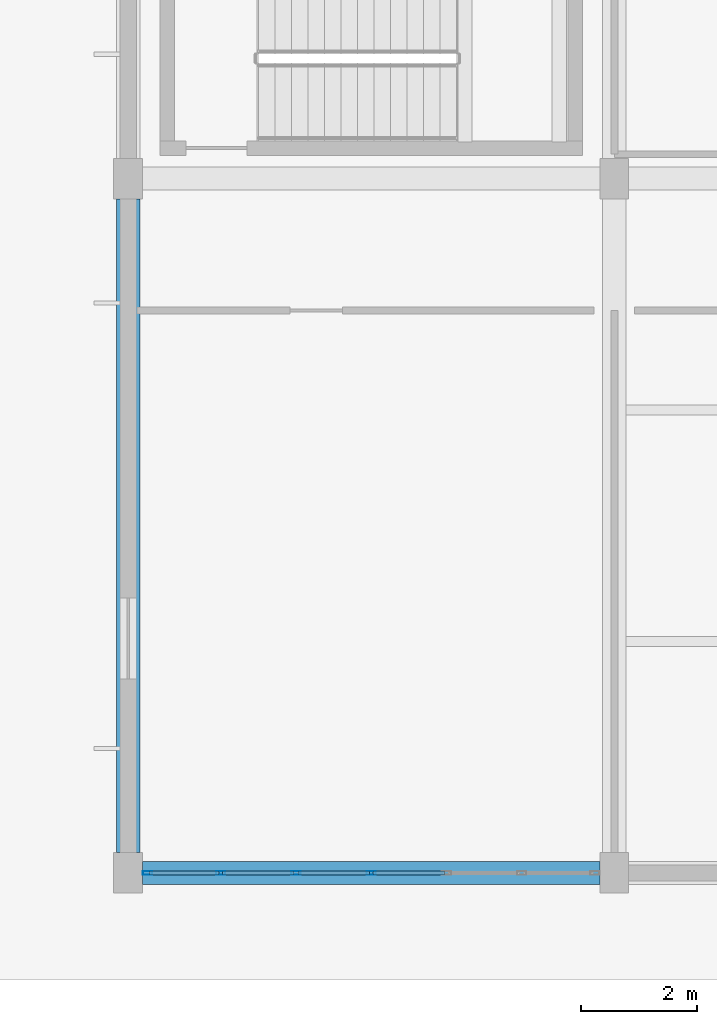
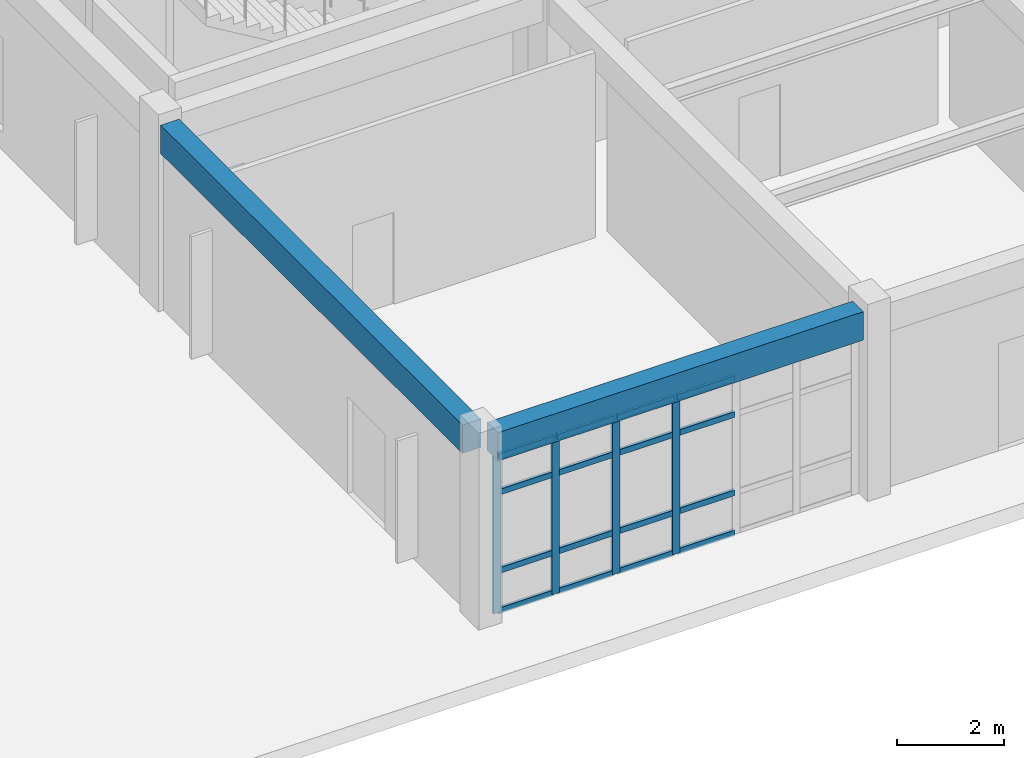
# One storey, part 20 of 154: 20 members, 2 beams, 1 element without a shape of its own.
"""IFC4 building model written with IfcOpenShell, lengths in metres."""

from ifc_helpers import new_model, si_unit, direction, frame, origin, origin_2d, place, context, subcontext, project, spatial, rectangle, hollow_rectangle, extrude, material, material_profile, profile_set, type_object, element, aggregate, save


model = new_model("IFC4")

# Units and contexts
model_context = context("Model", 3, precision=1e-05, world=origin(), true_north=direction((0.0, 1.0)))
body_context = subcontext(model_context, "Body", "Model", "MODEL_VIEW")
ifc_project = project(units=[si_unit("LENGTHUNIT", "METRE"), si_unit("AREAUNIT", "SQUARE_METRE"), si_unit("VOLUMEUNIT", "CUBIC_METRE"), si_unit("PLANEANGLEUNIT", "RADIAN"), si_unit("MASSUNIT", "GRAM", prefix="KILO")], contexts=[model_context])

# Site, building, storey
site_placement = place(None, origin())
site = spatial("IfcSite", under=ifc_project, at=site_placement, CompositionType="ELEMENT")
building_placement = place(site_placement, origin())
building = spatial("IfcBuilding", under=site, at=building_placement, Name="Kestramere Prow Commons", CompositionType="ELEMENT")
storey_placement = place(building_placement, origin())
storey = spatial("IfcBuildingStorey", under=building, at=storey_placement, Name="L00", CompositionType="ELEMENT", Elevation=0.0)

# Beams
ifc_material_1 = material(Name="Precast concrete C40/50", Category="concrete")
ifc_material_profile_1 = material_profile(ifc_material_1, rectangle(XDim=0.39990234375, YDim=0.64990234375, at=origin_2d()), Name="PC-BM 400x650")
ifc_profile_set_1 = profile_set([ifc_material_profile_1], Name="Precast concrete C40/50")
beam_type = type_object("IfcBeamType", Name="BM-MK-01 PC-BM 400x650 (EX)", PredefinedType="BEAM", material=ifc_profile_set_1)
beam_1_placement = place(storey_placement, frame((60.25, 0.0, 3.925048828125), z_axis=(1.0, 0.0, 0.0), x_axis=(0.0, 1.0, 0.0)))
element("IfcBeam", 1, at=beam_1_placement, inside=storey, type_object=beam_type, Name="Market Spine L00 Beam X 1-1", PredefinedType="BEAM", context=body_context, shape_type="SweptSolid", body=[
    extrude(rectangle(XDim=0.39990234375, YDim=0.64990234375, at=origin_2d()), origin(), (0.0, 0.0, 1.0), 7.89990234375),
])
beam_2_placement = place(storey_placement, frame((60.0, 0.35009765625, 3.925048828125), z_axis=(0.0, 1.0, 0.0), x_axis=(-1.0, 0.0, 0.0)))
element("IfcBeam", 2, at=beam_2_placement, inside=storey, type_object=beam_type, Name="Market Spine L00 Beam Y 1-1", PredefinedType="BEAM", context=body_context, shape_type="SweptSolid", body=[
    extrude(rectangle(XDim=0.39990234375, YDim=0.64990234375, at=origin_2d()), origin(), (0.0, 0.0, 1.0), 11.2998046875),
])

# Curtain wall, members
ifc_material_2 = material(Name="Anodised Aluminium and Low-E Glass", Category="aluminium")
curtain_wall_type = type_object("IfcCurtainWallType", Name="CW-19 Glazed Curtain Wall 7800x3590", PredefinedType="USERDEFINED", material=ifc_material_2)
curtain_wall_placement = place(storey_placement, origin())
curtain_wall = element("IfcCurtainWall", 3, at=curtain_wall_placement, inside=storey, type_object=curtain_wall_type, Name="Market L00 South Shopfront 1", ObjectType="GLAZED CURTAIN WALL", PredefinedType="USERDEFINED")
ifc_material_3 = material(Name="Anodised Aluminium 6063-T6", Category="aluminium")
ifc_material_profile_2 = material_profile(ifc_material_3, hollow_rectangle(XDim=0.06494140625, YDim=0.159912109375, WallThickness=0.00390625, at=origin_2d()), Name="ALU-MUL 65x160")
ifc_profile_set_2 = profile_set([ifc_material_profile_2], Name="Anodised Aluminium 6063-T6")
member_type_1 = type_object("IfcMemberType", Name="CW-MUL-65x160", PredefinedType="MULLION", material=ifc_profile_set_2)
member_1_placement = place(storey_placement, frame((64.199951171875, 0.0, 0.0), z_axis=(0.0, 0.0, 1.0), x_axis=(0.0, -1.0, 0.0)))
member_1 = element("IfcMember", 4, at=member_1_placement, type_object=member_type_1, Name="CW-19 mullion 4", PredefinedType="MULLION", context=body_context, shape_type="SweptSolid", body=[
    extrude(hollow_rectangle(XDim=0.06494140625, YDim=0.159912109375, WallThickness=0.00390625, at=origin_2d()), origin(), (0.0, 0.0, 1.0), 3.590087890625),
])
member_2_placement = place(storey_placement, frame((62.89990234375, 0.0, 0.0), z_axis=(0.0, 0.0, 1.0), x_axis=(0.0, -1.0, 0.0)))
member_2 = element("IfcMember", 5, at=member_2_placement, type_object=member_type_1, Name="CW-19 mullion 5", PredefinedType="MULLION", context=body_context, shape_type="SweptSolid", body=[
    extrude(hollow_rectangle(XDim=0.06494140625, YDim=0.159912109375, WallThickness=0.00390625, at=origin_2d()), origin(), (0.0, 0.0, 1.0), 3.590087890625),
])
member_3_placement = place(storey_placement, frame((61.60009765625, 0.0, 0.0), z_axis=(0.0, 0.0, 1.0), x_axis=(0.0, -1.0, 0.0)))
member_3 = element("IfcMember", 6, at=member_3_placement, type_object=member_type_1, Name="CW-19 mullion 6", PredefinedType="MULLION", context=body_context, shape_type="SweptSolid", body=[
    extrude(hollow_rectangle(XDim=0.06494140625, YDim=0.159912109375, WallThickness=0.00390625, at=origin_2d()), origin(), (0.0, 0.0, 1.0), 3.590087890625),
])
member_4_placement = place(storey_placement, frame((60.33251953125, 0.0, 0.0), z_axis=(0.0, 0.0, 1.0), x_axis=(0.0, -1.0, 0.0)))
member_4 = element("IfcMember", 7, at=member_4_placement, type_object=member_type_1, Name="CW-19 mullion 7", PredefinedType="MULLION", context=body_context, shape_type="SweptSolid", body=[
    extrude(hollow_rectangle(XDim=0.06494140625, YDim=0.159912109375, WallThickness=0.00390625, at=origin_2d()), origin(), (0.0, 0.0, 1.0), 3.590087890625),
])
ifc_material_profile_3 = material_profile(ifc_material_3, hollow_rectangle(XDim=0.06494140625, YDim=0.1298828125, WallThickness=0.00390625, at=origin_2d()), Name="ALU-TRN 65x130")
ifc_profile_set_3 = profile_set([ifc_material_profile_3], Name="Anodised Aluminium 6063-T6")
member_type_2 = type_object("IfcMemberType", Name="CW-TRN-65x130", PredefinedType="USERDEFINED", material=ifc_profile_set_3)
member_5_placement = place(storey_placement, frame((65.467529296875, 0.0, 0.032470703125), z_axis=(-1.0, 0.0, 0.0), x_axis=(0.0, -1.0, 0.0)))
member_5 = element("IfcMember", 8, at=member_5_placement, type_object=member_type_2, Name="CW-19 transom 3.1", ObjectType="TRANSOM", PredefinedType="USERDEFINED", context=body_context, shape_type="SweptSolid", body=[
    extrude(hollow_rectangle(XDim=0.06494140625, YDim=0.1298828125, WallThickness=0.00390625, at=origin_2d()), origin(), (0.0, 0.0, 1.0), 1.235107421875),
])
member_6_placement = place(storey_placement, frame((65.467529296875, 0.0, 0.949951171875), z_axis=(-1.0, 0.0, 0.0), x_axis=(0.0, -1.0, 0.0)))
member_6 = element("IfcMember", 9, at=member_6_placement, type_object=member_type_2, Name="CW-19 transom 3.2", ObjectType="TRANSOM", PredefinedType="USERDEFINED", context=body_context, shape_type="SweptSolid", body=[
    extrude(hollow_rectangle(XDim=0.06494140625, YDim=0.1298828125, WallThickness=0.00390625, at=origin_2d()), origin(), (0.0, 0.0, 1.0), 1.235107421875),
])
member_7_placement = place(storey_placement, frame((65.467529296875, 0.0, 2.739990234375), z_axis=(-1.0, 0.0, 0.0), x_axis=(0.0, -1.0, 0.0)))
member_7 = element("IfcMember", 10, at=member_7_placement, type_object=member_type_2, Name="CW-19 transom 3.3", ObjectType="TRANSOM", PredefinedType="USERDEFINED", context=body_context, shape_type="SweptSolid", body=[
    extrude(hollow_rectangle(XDim=0.06494140625, YDim=0.1298828125, WallThickness=0.00390625, at=origin_2d()), origin(), (0.0, 0.0, 1.0), 1.235107421875),
])
member_8_placement = place(storey_placement, frame((65.467529296875, 0.0, 3.5576171875), z_axis=(-1.0, 0.0, 0.0), x_axis=(0.0, -1.0, 0.0)))
member_8 = element("IfcMember", 11, at=member_8_placement, type_object=member_type_2, Name="CW-19 transom 3.4", ObjectType="TRANSOM", PredefinedType="USERDEFINED", context=body_context, shape_type="SweptSolid", body=[
    extrude(hollow_rectangle(XDim=0.06494140625, YDim=0.1298828125, WallThickness=0.00390625, at=origin_2d()), origin(), (0.0, 0.0, 1.0), 1.235107421875),
])
member_9_placement = place(storey_placement, frame((64.16748046875, 0.0, 0.032470703125), z_axis=(-1.0, 0.0, 0.0), x_axis=(0.0, -1.0, 0.0)))
member_9 = element("IfcMember", 12, at=member_9_placement, type_object=member_type_2, Name="CW-19 transom 4.1", ObjectType="TRANSOM", PredefinedType="USERDEFINED", context=body_context, shape_type="SweptSolid", body=[
    extrude(hollow_rectangle(XDim=0.06494140625, YDim=0.1298828125, WallThickness=0.00390625, at=origin_2d()), origin(), (0.0, 0.0, 1.0), 1.23486328125),
])
member_10_placement = place(storey_placement, frame((64.16748046875, 0.0, 0.949951171875), z_axis=(-1.0, 0.0, 0.0), x_axis=(0.0, -1.0, 0.0)))
member_10 = element("IfcMember", 13, at=member_10_placement, type_object=member_type_2, Name="CW-19 transom 4.2", ObjectType="TRANSOM", PredefinedType="USERDEFINED", context=body_context, shape_type="SweptSolid", body=[
    extrude(hollow_rectangle(XDim=0.06494140625, YDim=0.1298828125, WallThickness=0.00390625, at=origin_2d()), origin(), (0.0, 0.0, 1.0), 1.23486328125),
])
member_11_placement = place(storey_placement, frame((64.16748046875, 0.0, 2.739990234375), z_axis=(-1.0, 0.0, 0.0), x_axis=(0.0, -1.0, 0.0)))
member_11 = element("IfcMember", 14, at=member_11_placement, type_object=member_type_2, Name="CW-19 transom 4.3", ObjectType="TRANSOM", PredefinedType="USERDEFINED", context=body_context, shape_type="SweptSolid", body=[
    extrude(hollow_rectangle(XDim=0.06494140625, YDim=0.1298828125, WallThickness=0.00390625, at=origin_2d()), origin(), (0.0, 0.0, 1.0), 1.23486328125),
])
member_12_placement = place(storey_placement, frame((64.16748046875, 0.0, 3.5576171875), z_axis=(-1.0, 0.0, 0.0), x_axis=(0.0, -1.0, 0.0)))
member_12 = element("IfcMember", 15, at=member_12_placement, type_object=member_type_2, Name="CW-19 transom 4.4", ObjectType="TRANSOM", PredefinedType="USERDEFINED", context=body_context, shape_type="SweptSolid", body=[
    extrude(hollow_rectangle(XDim=0.06494140625, YDim=0.1298828125, WallThickness=0.00390625, at=origin_2d()), origin(), (0.0, 0.0, 1.0), 1.23486328125),
])
member_13_placement = place(storey_placement, frame((62.867431640625, 0.0, 0.032470703125), z_axis=(-1.0, 0.0, 0.0), x_axis=(0.0, -1.0, 0.0)))
member_13 = element("IfcMember", 16, at=member_13_placement, type_object=member_type_2, Name="CW-19 transom 5.1", ObjectType="TRANSOM", PredefinedType="USERDEFINED", context=body_context, shape_type="SweptSolid", body=[
    extrude(hollow_rectangle(XDim=0.06494140625, YDim=0.1298828125, WallThickness=0.00390625, at=origin_2d()), origin(), (0.0, 0.0, 1.0), 1.23486328125),
])
member_14_placement = place(storey_placement, frame((62.867431640625, 0.0, 0.949951171875), z_axis=(-1.0, 0.0, 0.0), x_axis=(0.0, -1.0, 0.0)))
member_14 = element("IfcMember", 17, at=member_14_placement, type_object=member_type_2, Name="CW-19 transom 5.2", ObjectType="TRANSOM", PredefinedType="USERDEFINED", context=body_context, shape_type="SweptSolid", body=[
    extrude(hollow_rectangle(XDim=0.06494140625, YDim=0.1298828125, WallThickness=0.00390625, at=origin_2d()), origin(), (0.0, 0.0, 1.0), 1.23486328125),
])
member_15_placement = place(storey_placement, frame((62.867431640625, 0.0, 2.739990234375), z_axis=(-1.0, 0.0, 0.0), x_axis=(0.0, -1.0, 0.0)))
member_15 = element("IfcMember", 18, at=member_15_placement, type_object=member_type_2, Name="CW-19 transom 5.3", ObjectType="TRANSOM", PredefinedType="USERDEFINED", context=body_context, shape_type="SweptSolid", body=[
    extrude(hollow_rectangle(XDim=0.06494140625, YDim=0.1298828125, WallThickness=0.00390625, at=origin_2d()), origin(), (0.0, 0.0, 1.0), 1.23486328125),
])
member_16_placement = place(storey_placement, frame((62.867431640625, 0.0, 3.5576171875), z_axis=(-1.0, 0.0, 0.0), x_axis=(0.0, -1.0, 0.0)))
member_16 = element("IfcMember", 19, at=member_16_placement, type_object=member_type_2, Name="CW-19 transom 5.4", ObjectType="TRANSOM", PredefinedType="USERDEFINED", context=body_context, shape_type="SweptSolid", body=[
    extrude(hollow_rectangle(XDim=0.06494140625, YDim=0.1298828125, WallThickness=0.00390625, at=origin_2d()), origin(), (0.0, 0.0, 1.0), 1.23486328125),
])
member_17_placement = place(storey_placement, frame((61.5673828125, 0.0, 0.032470703125), z_axis=(-1.0, 0.0, 0.0), x_axis=(0.0, -1.0, 0.0)))
member_17 = element("IfcMember", 20, at=member_17_placement, type_object=member_type_2, Name="CW-19 transom 6.1", ObjectType="TRANSOM", PredefinedType="USERDEFINED", context=body_context, shape_type="SweptSolid", body=[
    extrude(hollow_rectangle(XDim=0.06494140625, YDim=0.1298828125, WallThickness=0.00390625, at=origin_2d()), origin(), (0.0, 0.0, 1.0), 1.202392578125),
])
member_18_placement = place(storey_placement, frame((61.5673828125, 0.0, 0.949951171875), z_axis=(-1.0, 0.0, 0.0), x_axis=(0.0, -1.0, 0.0)))
member_18 = element("IfcMember", 21, at=member_18_placement, type_object=member_type_2, Name="CW-19 transom 6.2", ObjectType="TRANSOM", PredefinedType="USERDEFINED", context=body_context, shape_type="SweptSolid", body=[
    extrude(hollow_rectangle(XDim=0.06494140625, YDim=0.1298828125, WallThickness=0.00390625, at=origin_2d()), origin(), (0.0, 0.0, 1.0), 1.202392578125),
])
member_19_placement = place(storey_placement, frame((61.5673828125, 0.0, 2.739990234375), z_axis=(-1.0, 0.0, 0.0), x_axis=(0.0, -1.0, 0.0)))
member_19 = element("IfcMember", 22, at=member_19_placement, type_object=member_type_2, Name="CW-19 transom 6.3", ObjectType="TRANSOM", PredefinedType="USERDEFINED", context=body_context, shape_type="SweptSolid", body=[
    extrude(hollow_rectangle(XDim=0.06494140625, YDim=0.1298828125, WallThickness=0.00390625, at=origin_2d()), origin(), (0.0, 0.0, 1.0), 1.202392578125),
])
member_20_placement = place(storey_placement, frame((61.5673828125, 0.0, 3.5576171875), z_axis=(-1.0, 0.0, 0.0), x_axis=(0.0, -1.0, 0.0)))
member_20 = element("IfcMember", 23, at=member_20_placement, type_object=member_type_2, Name="CW-19 transom 6.4", ObjectType="TRANSOM", PredefinedType="USERDEFINED", context=body_context, shape_type="SweptSolid", body=[
    extrude(hollow_rectangle(XDim=0.06494140625, YDim=0.1298828125, WallThickness=0.00390625, at=origin_2d()), origin(), (0.0, 0.0, 1.0), 1.202392578125),
])
aggregate(curtain_wall, [member_1, member_2, member_3, member_4, member_5, member_6, member_7, member_8, member_9, member_10, member_11, member_12, member_13, member_14, member_15, member_16, member_17, member_18, member_19, member_20])

save(model, "model.ifc")
